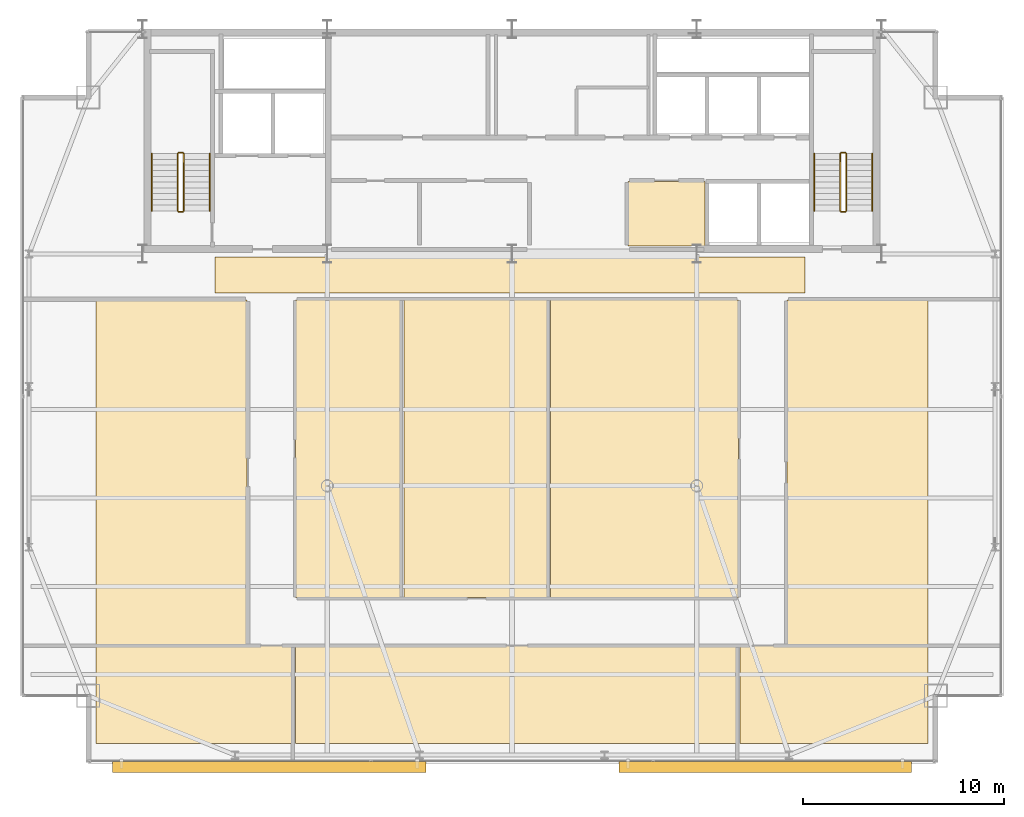
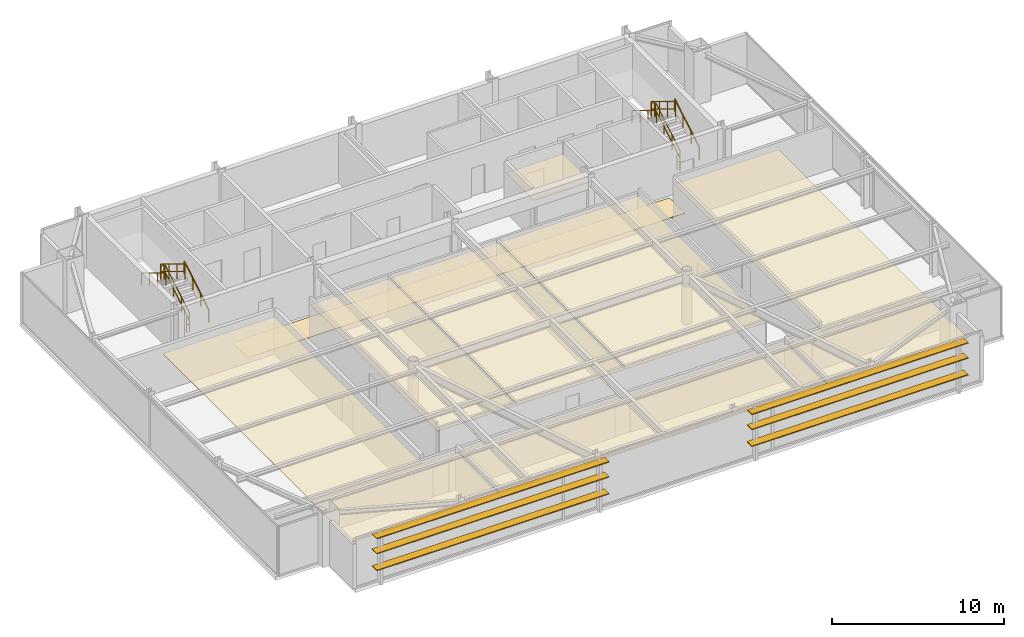
# One storey, part 25 of 25: 12 railings, 10 coverings, 6 shading devices.
"""IFC4 building model written with IfcOpenShell, lengths in metres."""

from ifc_helpers import new_model, si_unit, direction, frame, origin, origin_2d, place, context, subcontext, project, spatial, polyline, rectangle, outline, extrude, source, transform, mapped, material, layer, layer_set, type_object, type_shapes, element, save


model = new_model("IFC4")

# Units and contexts
model_context = context("Model", 3, precision=1e-05, world=origin(), true_north=direction((0.0, 1.0)))
body_context = subcontext(model_context, "Body", "Model", "MODEL_VIEW")
ifc_project = project(units=[si_unit("LENGTHUNIT", "METRE"), si_unit("AREAUNIT", "SQUARE_METRE"), si_unit("VOLUMEUNIT", "CUBIC_METRE"), si_unit("PLANEANGLEUNIT", "RADIAN"), si_unit("MASSUNIT", "GRAM", prefix="KILO")], contexts=[model_context])

# Site, building, storey
site_placement = place(None, origin())
site = spatial("IfcSite", under=ifc_project, at=site_placement, CompositionType="ELEMENT")
building_placement = place(site_placement, origin())
building = spatial("IfcBuilding", under=site, at=building_placement, Name="Varnel Quay Broadcast Tower", CompositionType="ELEMENT")
storey_placement = place(building_placement, frame((0.0, 0.0, 226.39990234375)))
storey = spatial("IfcBuildingStorey", under=building, at=storey_placement, Name="L56", CompositionType="ELEMENT", Elevation=226.39990234375)

# Coverings
ifc_material_1 = material(Name="Micro-Perforated Acoustic Ceiling Tile")
ifc_layer_1 = layer(ifc_material_1, 0.0400390625, Name="Micro-Perforated Acoustic Ceiling Tile")
ifc_layer_set_1 = layer_set([ifc_layer_1], Name="Micro-Perforated Acoustic Ceiling Tile")
covering_type_1 = type_object("IfcCoveringType", Name="Cov_AcousticCeiling", PredefinedType="CEILING", material=ifc_layer_set_1)
covering_1_placement = place(storey_placement, frame((0.0, 0.0, 2.580078125)))
element("IfcCovering", 1, at=covering_1_placement, inside=storey, type_object=covering_type_1, Name="L56 Electrical Sub-Distribution Closet Acoustic Ceiling", PredefinedType="CEILING", context=body_context, shape_type="SweptSolid", body=[
    extrude(outline(polyline([(39.784912109375, 35.985107421875), (43.614990234375, 35.985107421875), (43.614990234375, 39.215087890625), (39.784912109375, 39.215087890625), (39.784912109375, 35.985107421875)])), origin(), (0.0, 0.0, 1.0), 0.0400390625),
])
covering_2_placement = place(storey_placement, frame((0.0, 0.0, 2.580078125)))
element("IfcCovering", 2, at=covering_2_placement, inside=storey, type_object=covering_type_1, Name="L56 Broadcast Seminar Room 1 Acoustic Ceiling", PredefinedType="CEILING", context=body_context, shape_type="SweptSolid", body=[
    extrude(outline(polyline([(13.284912109375, 11.22509765625), (23.155029296875, 11.22509765625), (23.155029296875, 16.06494140625), (13.284912109375, 16.06494140625), (13.284912109375, 11.22509765625)])), origin(), (0.0, 0.0, 1.0), 0.0400390625),
])
covering_3_placement = place(storey_placement, frame((0.0, 0.0, 2.580078125)))
element("IfcCovering", 3, at=covering_3_placement, inside=storey, type_object=covering_type_1, Name="L56 Press Briefing Room 2 Acoustic Ceiling", PredefinedType="CEILING", context=body_context, shape_type="SweptSolid", body=[
    extrude(outline(polyline([(23.22509765625, 11.22509765625), (45.27490234375, 11.22509765625), (45.27490234375, 16.06494140625), (23.22509765625, 16.06494140625), (23.22509765625, 11.22509765625)])), origin(), (0.0, 0.0, 1.0), 0.0400390625),
])
covering_4_placement = place(storey_placement, frame((0.0, 0.0, 2.580078125)))
element("IfcCovering", 4, at=covering_4_placement, inside=storey, type_object=covering_type_1, Name="L56 Editorial Huddle Room 3 Acoustic Ceiling", PredefinedType="CEILING", context=body_context, shape_type="SweptSolid", body=[
    extrude(outline(polyline([(45.344970703125, 11.22509765625), (54.715087890625, 11.22509765625), (54.715087890625, 16.06494140625), (45.344970703125, 16.06494140625), (45.344970703125, 11.22509765625)])), origin(), (0.0, 0.0, 1.0), 0.0400390625),
])
covering_5_placement = place(storey_placement, frame((0.0, 0.0, 2.580078125)))
element("IfcCovering", 5, at=covering_5_placement, inside=storey, type_object=covering_type_1, Name="L56 Journalism Training Studio 4 Acoustic Ceiling", PredefinedType="CEILING", context=body_context, shape_type="SweptSolid", body=[
    extrude(outline(polyline([(13.284912109375, 16.135009765625), (20.804931640625, 16.135009765625), (20.804931640625, 33.31494140625), (13.284912109375, 33.31494140625), (13.284912109375, 16.135009765625)])), origin(), (0.0, 0.0, 1.0), 0.0400390625),
])
covering_6_placement = place(storey_placement, frame((0.0, 0.0, 2.580078125)))
element("IfcCovering", 6, at=covering_6_placement, inside=storey, type_object=covering_type_1, Name="L56 Catering Kitchen 5 Acoustic Ceiling", PredefinedType="CEILING", context=body_context, shape_type="SweptSolid", body=[
    extrude(outline(polyline([(23.22509765625, 18.485107421875), (28.544921875, 18.485107421875), (28.544921875, 33.31494140625), (23.22509765625, 33.31494140625), (23.22509765625, 18.485107421875)])), origin(), (0.0, 0.0, 1.0), 0.0400390625),
])
covering_7_placement = place(storey_placement, frame((0.0, 0.0, 2.580078125)))
element("IfcCovering", 7, at=covering_7_placement, inside=storey, type_object=covering_type_1, Name="L56 Bureau Office 6 Acoustic Ceiling", PredefinedType="CEILING", context=body_context, shape_type="SweptSolid", body=[
    extrude(outline(polyline([(28.614990234375, 18.485107421875), (35.85498046875, 18.485107421875), (35.85498046875, 33.31494140625), (28.614990234375, 33.31494140625), (28.614990234375, 18.485107421875)])), origin(), (0.0, 0.0, 1.0), 0.0400390625),
])
covering_8_placement = place(storey_placement, frame((0.0, 0.0, 2.580078125)))
element("IfcCovering", 8, at=covering_8_placement, inside=storey, type_object=covering_type_1, Name="L56 Reading Lounge 7 Acoustic Ceiling", PredefinedType="CEILING", context=body_context, shape_type="SweptSolid", body=[
    extrude(outline(polyline([(35.925048828125, 18.485107421875), (45.27490234375, 18.485107421875), (45.27490234375, 33.31494140625), (35.925048828125, 33.31494140625), (35.925048828125, 18.485107421875)])), origin(), (0.0, 0.0, 1.0), 0.0400390625),
])
covering_9_placement = place(storey_placement, frame((0.0, 0.0, 2.580078125)))
element("IfcCovering", 9, at=covering_9_placement, inside=storey, type_object=covering_type_1, Name="L56 Broadcast Seminar Room 8 Acoustic Ceiling", PredefinedType="CEILING", context=body_context, shape_type="SweptSolid", body=[
    extrude(outline(polyline([(47.695068359375, 16.135009765625), (54.715087890625, 16.135009765625), (54.715087890625, 33.31494140625), (47.695068359375, 33.31494140625), (47.695068359375, 16.135009765625)])), origin(), (0.0, 0.0, 1.0), 0.0400390625),
])
ifc_material_2 = material(Name="Polished Terrazzo & Broadcast Raised Flooring")
ifc_layer_2 = layer(ifc_material_2, 0.0400390625, Name="Polished Terrazzo & Broadcast Raised Flooring")
ifc_layer_set_2 = layer_set([ifc_layer_2], Name="Polished Terrazzo & Broadcast Raised Flooring")
covering_type_2 = type_object("IfcCoveringType", Name="Cov_TerrazzoFloor", PredefinedType="FLOORING", material=ifc_layer_set_2)
covering_10_placement = place(storey_placement, origin())
element("IfcCovering", 10, at=covering_10_placement, inside=storey, type_object=covering_type_2, Name="L56 Corridor Terrazzo Flooring", PredefinedType="FLOORING", context=body_context, shape_type="SweptSolid", body=[
    extrude(outline(polyline([(19.199951171875, 33.64990234375), (48.60009765625, 33.64990234375), (48.60009765625, 35.449951171875), (19.199951171875, 35.449951171875), (19.199951171875, 33.64990234375)])), origin(), (0.0, 0.0, 1.0), 0.0400390625),
])

# Railings
ifc_material_3 = material(Name="Painted Steel Guard and Handrail CSA G40.21 350W", Category="steel")
railing_type_1 = type_object("IfcRailingType", Name="Rail_StairGuard1100", PredefinedType="GUARDRAIL", material=ifc_material_3)
railing_1_placement = place(storey_placement, frame((17.64990234375, 37.75, 0.1728515625)))
element("IfcRailing", 11, at=railing_1_placement, inside=storey, type_object=railing_type_1, Name="L56 ST-01 stair guard 1", PredefinedType="GUARDRAIL", context=body_context, shape_type="SweptSolid", body=[
    extrude(rectangle(XDim=0.048095703125, YDim=0.048095703125, at=origin_2d()), frame((0.0, 0.0, 1.076171875), z_axis=(0.0, 0.855202751398, 0.518293598264), x_axis=(-1.0, 0.0, 0.0)), (0.0, 0.0, 1.0), 3.332763671875),
    extrude(rectangle(XDim=0.048095703125, YDim=0.048095703125, at=origin_2d()), frame((0.0, 0.0, 0.550048828125), z_axis=(0.0, 0.855202751398, 0.518293598264), x_axis=(-1.0, 0.0, 0.0)), (0.0, 0.0, 1.0), 3.332763671875),
    extrude(rectangle(XDim=0.0419921875, YDim=0.0419921875, at=origin_2d()), origin(), (0.0, 0.0, 1.0), 1.052001953125),
    extrude(rectangle(XDim=0.0419921875, YDim=0.0419921875, at=origin_2d()), frame((0.0, 0.949951171875, 0.57568359375)), (0.0, 0.0, 1.0), 1.052001953125),
    extrude(rectangle(XDim=0.0419921875, YDim=0.0419921875, at=origin_2d()), frame((0.0, 1.900146484375, 1.151611328125)), (0.0, 0.0, 1.0), 1.052001953125),
    extrude(rectangle(XDim=0.0419921875, YDim=0.0419921875, at=origin_2d()), frame((0.0, 2.85009765625, 1.727294921875)), (0.0, 0.0, 1.0), 1.052001953125),
])
railing_2_placement = place(storey_placement, frame((17.60009765625, 40.64990234375, 1.900146484375)))
element("IfcRailing", 12, at=railing_2_placement, inside=storey, type_object=railing_type_1, Name="L56 ST-01 stair guard 2", PredefinedType="GUARDRAIL", context=body_context, shape_type="SweptSolid", body=[
    extrude(rectangle(XDim=0.048095703125, YDim=0.048095703125, at=origin_2d()), frame((0.0, 0.0, 1.076171875), z_axis=(-1.0, 0.0, 0.0), x_axis=(0.0, -1.0, 0.0)), (0.0, 0.0, 1.0), 0.2001953125),
    extrude(rectangle(XDim=0.048095703125, YDim=0.048095703125, at=origin_2d()), frame((0.0, 0.0, 0.550048828125), z_axis=(-1.0, 0.0, 0.0), x_axis=(0.0, -1.0, 0.0)), (0.0, 0.0, 1.0), 0.2001953125),
    extrude(rectangle(XDim=0.0419921875, YDim=0.0419921875, at=origin_2d()), origin(), (0.0, 0.0, 1.0), 1.052001953125),
    extrude(rectangle(XDim=0.0419921875, YDim=0.0419921875, at=origin_2d()), frame((-0.2001953125, 0.0, 0.0)), (0.0, 0.0, 1.0), 1.052001953125),
])
railing_3_placement = place(storey_placement, frame((17.35009765625, 40.60009765625, 2.07275390625)))
element("IfcRailing", 13, at=railing_3_placement, inside=storey, type_object=railing_type_1, Name="L56 ST-01 stair guard 3", PredefinedType="GUARDRAIL", context=body_context, shape_type="SweptSolid", body=[
    extrude(rectangle(XDim=0.048095703125, YDim=0.048095703125, at=origin_2d()), frame((0.0, 0.0, 1.076171875), z_axis=(0.0, -0.855202751398, 0.518293598264), x_axis=(1.0, 0.0, 0.0)), (0.0, 0.0, 1.0), 3.332763671875),
    extrude(rectangle(XDim=0.048095703125, YDim=0.048095703125, at=origin_2d()), frame((0.0, 0.0, 0.550048828125), z_axis=(0.0, -0.855202751398, 0.518293598264), x_axis=(1.0, 0.0, 0.0)), (0.0, 0.0, 1.0), 3.332763671875),
    extrude(rectangle(XDim=0.0419921875, YDim=0.0419921875, at=origin_2d()), origin(), (0.0, 0.0, 1.0), 1.052001953125),
    extrude(rectangle(XDim=0.0419921875, YDim=0.0419921875, at=origin_2d()), frame((0.0, -0.949951171875, 0.57568359375)), (0.0, 0.0, 1.0), 1.052001953125),
    extrude(rectangle(XDim=0.0419921875, YDim=0.0419921875, at=origin_2d()), frame((0.0, -1.900146484375, 1.151611328125)), (0.0, 0.0, 1.0), 1.052001953125),
    extrude(rectangle(XDim=0.0419921875, YDim=0.0419921875, at=origin_2d()), frame((0.0, -2.85009765625, 1.727294921875)), (0.0, 0.0, 1.0), 1.052001953125),
])
railing_4_placement = place(storey_placement, frame((17.60009765625, 37.699951171875, 0.0)))
element("IfcRailing", 14, at=railing_4_placement, inside=storey, type_object=railing_type_1, Name="L56 ST-01 stair guard 4", PredefinedType="GUARDRAIL", context=body_context, shape_type="SweptSolid", body=[
    extrude(rectangle(XDim=0.048095703125, YDim=0.048095703125, at=origin_2d()), frame((0.0, 0.0, 1.076171875), z_axis=(-1.0, 0.0, 0.0), x_axis=(0.0, -1.0, 0.0)), (0.0, 0.0, 1.0), 0.2001953125),
    extrude(rectangle(XDim=0.048095703125, YDim=0.048095703125, at=origin_2d()), frame((0.0, 0.0, 0.550048828125), z_axis=(-1.0, 0.0, 0.0), x_axis=(0.0, -1.0, 0.0)), (0.0, 0.0, 1.0), 0.2001953125),
    extrude(rectangle(XDim=0.0419921875, YDim=0.0419921875, at=origin_2d()), origin(), (0.0, 0.0, 1.0), 1.052001953125),
    extrude(rectangle(XDim=0.0419921875, YDim=0.0419921875, at=origin_2d()), frame((-0.2001953125, 0.0, 0.0)), (0.0, 0.0, 1.0), 1.052001953125),
])
railing_5_placement = place(storey_placement, frame((50.64990234375, 37.75, 0.1728515625)))
element("IfcRailing", 15, at=railing_5_placement, inside=storey, type_object=railing_type_1, Name="L56 ST-02 stair guard 1", PredefinedType="GUARDRAIL", context=body_context, shape_type="SweptSolid", body=[
    extrude(rectangle(XDim=0.048095703125, YDim=0.048095703125, at=origin_2d()), frame((0.0, 0.0, 1.076171875), z_axis=(0.0, 0.855202751398, 0.518293598264), x_axis=(-1.0, 0.0, 0.0)), (0.0, 0.0, 1.0), 3.332763671875),
    extrude(rectangle(XDim=0.048095703125, YDim=0.048095703125, at=origin_2d()), frame((0.0, 0.0, 0.550048828125), z_axis=(0.0, 0.855202751398, 0.518293598264), x_axis=(-1.0, 0.0, 0.0)), (0.0, 0.0, 1.0), 3.332763671875),
    extrude(rectangle(XDim=0.0419921875, YDim=0.0419921875, at=origin_2d()), origin(), (0.0, 0.0, 1.0), 1.052001953125),
    extrude(rectangle(XDim=0.0419921875, YDim=0.0419921875, at=origin_2d()), frame((0.0, 0.949951171875, 0.57568359375)), (0.0, 0.0, 1.0), 1.052001953125),
    extrude(rectangle(XDim=0.0419921875, YDim=0.0419921875, at=origin_2d()), frame((0.0, 1.900146484375, 1.151611328125)), (0.0, 0.0, 1.0), 1.052001953125),
    extrude(rectangle(XDim=0.0419921875, YDim=0.0419921875, at=origin_2d()), frame((0.0, 2.85009765625, 1.727294921875)), (0.0, 0.0, 1.0), 1.052001953125),
])
railing_6_placement = place(storey_placement, frame((50.60009765625, 40.64990234375, 1.900146484375)))
element("IfcRailing", 16, at=railing_6_placement, inside=storey, type_object=railing_type_1, Name="L56 ST-02 stair guard 2", PredefinedType="GUARDRAIL", context=body_context, shape_type="SweptSolid", body=[
    extrude(rectangle(XDim=0.048095703125, YDim=0.048095703125, at=origin_2d()), frame((0.0, 0.0, 1.076171875), z_axis=(-1.0, 0.0, 0.0), x_axis=(0.0, -1.0, 0.0)), (0.0, 0.0, 1.0), 0.2001953125),
    extrude(rectangle(XDim=0.048095703125, YDim=0.048095703125, at=origin_2d()), frame((0.0, 0.0, 0.550048828125), z_axis=(-1.0, 0.0, 0.0), x_axis=(0.0, -1.0, 0.0)), (0.0, 0.0, 1.0), 0.2001953125),
    extrude(rectangle(XDim=0.0419921875, YDim=0.0419921875, at=origin_2d()), origin(), (0.0, 0.0, 1.0), 1.052001953125),
    extrude(rectangle(XDim=0.0419921875, YDim=0.0419921875, at=origin_2d()), frame((-0.2001953125, 0.0, 0.0)), (0.0, 0.0, 1.0), 1.052001953125),
])
railing_7_placement = place(storey_placement, frame((50.35009765625, 40.60009765625, 2.07275390625)))
element("IfcRailing", 17, at=railing_7_placement, inside=storey, type_object=railing_type_1, Name="L56 ST-02 stair guard 3", PredefinedType="GUARDRAIL", context=body_context, shape_type="SweptSolid", body=[
    extrude(rectangle(XDim=0.048095703125, YDim=0.048095703125, at=origin_2d()), frame((0.0, 0.0, 1.076171875), z_axis=(0.0, -0.855202751398, 0.518293598264), x_axis=(1.0, 0.0, 0.0)), (0.0, 0.0, 1.0), 3.332763671875),
    extrude(rectangle(XDim=0.048095703125, YDim=0.048095703125, at=origin_2d()), frame((0.0, 0.0, 0.550048828125), z_axis=(0.0, -0.855202751398, 0.518293598264), x_axis=(1.0, 0.0, 0.0)), (0.0, 0.0, 1.0), 3.332763671875),
    extrude(rectangle(XDim=0.0419921875, YDim=0.0419921875, at=origin_2d()), origin(), (0.0, 0.0, 1.0), 1.052001953125),
    extrude(rectangle(XDim=0.0419921875, YDim=0.0419921875, at=origin_2d()), frame((0.0, -0.949951171875, 0.57568359375)), (0.0, 0.0, 1.0), 1.052001953125),
    extrude(rectangle(XDim=0.0419921875, YDim=0.0419921875, at=origin_2d()), frame((0.0, -1.900146484375, 1.151611328125)), (0.0, 0.0, 1.0), 1.052001953125),
    extrude(rectangle(XDim=0.0419921875, YDim=0.0419921875, at=origin_2d()), frame((0.0, -2.85009765625, 1.727294921875)), (0.0, 0.0, 1.0), 1.052001953125),
])
railing_8_placement = place(storey_placement, frame((50.60009765625, 37.699951171875, 0.0)))
element("IfcRailing", 18, at=railing_8_placement, inside=storey, type_object=railing_type_1, Name="L56 ST-02 stair guard 4", PredefinedType="GUARDRAIL", context=body_context, shape_type="SweptSolid", body=[
    extrude(rectangle(XDim=0.048095703125, YDim=0.048095703125, at=origin_2d()), frame((0.0, 0.0, 1.076171875), z_axis=(-1.0, 0.0, 0.0), x_axis=(0.0, -1.0, 0.0)), (0.0, 0.0, 1.0), 0.2001953125),
    extrude(rectangle(XDim=0.048095703125, YDim=0.048095703125, at=origin_2d()), frame((0.0, 0.0, 0.550048828125), z_axis=(-1.0, 0.0, 0.0), x_axis=(0.0, -1.0, 0.0)), (0.0, 0.0, 1.0), 0.2001953125),
    extrude(rectangle(XDim=0.0419921875, YDim=0.0419921875, at=origin_2d()), origin(), (0.0, 0.0, 1.0), 1.052001953125),
    extrude(rectangle(XDim=0.0419921875, YDim=0.0419921875, at=origin_2d()), frame((-0.2001953125, 0.0, 0.0)), (0.0, 0.0, 1.0), 1.052001953125),
])
railing_type_2 = type_object("IfcRailingType", Name="Rail_StairHandrail900", PredefinedType="HANDRAIL", material=ifc_material_3)
railing_9_placement = place(storey_placement, frame((18.949951171875, 37.75, 0.1728515625)))
element("IfcRailing", 19, at=railing_9_placement, inside=storey, type_object=railing_type_2, Name="L56 ST-01 stair handrail 1", PredefinedType="HANDRAIL", context=body_context, shape_type="SweptSolid", body=[
    extrude(rectangle(XDim=0.048095703125, YDim=0.048095703125, at=origin_2d()), frame((0.0, 0.0, 0.8759765625), z_axis=(0.0, 0.855202751398, 0.518293598264), x_axis=(-1.0, 0.0, 0.0)), (0.0, 0.0, 1.0), 3.332763671875),
    extrude(rectangle(XDim=0.0419921875, YDim=0.0419921875, at=origin_2d()), origin(), (0.0, 0.0, 1.0), 0.851806640625),
    extrude(rectangle(XDim=0.0419921875, YDim=0.0419921875, at=origin_2d()), frame((0.0, 0.949951171875, 0.57568359375)), (0.0, 0.0, 1.0), 0.851806640625),
    extrude(rectangle(XDim=0.0419921875, YDim=0.0419921875, at=origin_2d()), frame((0.0, 1.900146484375, 1.151611328125)), (0.0, 0.0, 1.0), 0.851806640625),
    extrude(rectangle(XDim=0.0419921875, YDim=0.0419921875, at=origin_2d()), frame((0.0, 2.85009765625, 1.727294921875)), (0.0, 0.0, 1.0), 0.851806640625),
])
railing_10_placement = place(storey_placement, frame((16.050048828125, 40.60009765625, 2.07275390625)))
element("IfcRailing", 20, at=railing_10_placement, inside=storey, type_object=railing_type_2, Name="L56 ST-01 stair handrail 2", PredefinedType="HANDRAIL", context=body_context, shape_type="SweptSolid", body=[
    extrude(rectangle(XDim=0.048095703125, YDim=0.048095703125, at=origin_2d()), frame((0.0, 0.0, 0.8759765625), z_axis=(0.0, -0.855202751398, 0.518293598264), x_axis=(1.0, 0.0, 0.0)), (0.0, 0.0, 1.0), 3.332763671875),
    extrude(rectangle(XDim=0.0419921875, YDim=0.0419921875, at=origin_2d()), origin(), (0.0, 0.0, 1.0), 0.851806640625),
    extrude(rectangle(XDim=0.0419921875, YDim=0.0419921875, at=origin_2d()), frame((0.0, -0.949951171875, 0.57568359375)), (0.0, 0.0, 1.0), 0.851806640625),
    extrude(rectangle(XDim=0.0419921875, YDim=0.0419921875, at=origin_2d()), frame((0.0, -1.900146484375, 1.151611328125)), (0.0, 0.0, 1.0), 0.851806640625),
    extrude(rectangle(XDim=0.0419921875, YDim=0.0419921875, at=origin_2d()), frame((0.0, -2.85009765625, 1.727294921875)), (0.0, 0.0, 1.0), 0.851806640625),
])
railing_11_placement = place(storey_placement, frame((51.949951171875, 37.75, 0.1728515625)))
element("IfcRailing", 21, at=railing_11_placement, inside=storey, type_object=railing_type_2, Name="L56 ST-02 stair handrail 1", PredefinedType="HANDRAIL", context=body_context, shape_type="SweptSolid", body=[
    extrude(rectangle(XDim=0.048095703125, YDim=0.048095703125, at=origin_2d()), frame((0.0, 0.0, 0.8759765625), z_axis=(0.0, 0.855202751398, 0.518293598264), x_axis=(-1.0, 0.0, 0.0)), (0.0, 0.0, 1.0), 3.332763671875),
    extrude(rectangle(XDim=0.0419921875, YDim=0.0419921875, at=origin_2d()), origin(), (0.0, 0.0, 1.0), 0.851806640625),
    extrude(rectangle(XDim=0.0419921875, YDim=0.0419921875, at=origin_2d()), frame((0.0, 0.949951171875, 0.57568359375)), (0.0, 0.0, 1.0), 0.851806640625),
    extrude(rectangle(XDim=0.0419921875, YDim=0.0419921875, at=origin_2d()), frame((0.0, 1.900146484375, 1.151611328125)), (0.0, 0.0, 1.0), 0.851806640625),
    extrude(rectangle(XDim=0.0419921875, YDim=0.0419921875, at=origin_2d()), frame((0.0, 2.85009765625, 1.727294921875)), (0.0, 0.0, 1.0), 0.851806640625),
])
railing_12_placement = place(storey_placement, frame((49.050048828125, 40.60009765625, 2.07275390625)))
element("IfcRailing", 22, at=railing_12_placement, inside=storey, type_object=railing_type_2, Name="L56 ST-02 stair handrail 2", PredefinedType="HANDRAIL", context=body_context, shape_type="SweptSolid", body=[
    extrude(rectangle(XDim=0.048095703125, YDim=0.048095703125, at=origin_2d()), frame((0.0, 0.0, 0.8759765625), z_axis=(0.0, -0.855202751398, 0.518293598264), x_axis=(1.0, 0.0, 0.0)), (0.0, 0.0, 1.0), 3.332763671875),
    extrude(rectangle(XDim=0.0419921875, YDim=0.0419921875, at=origin_2d()), origin(), (0.0, 0.0, 1.0), 0.851806640625),
    extrude(rectangle(XDim=0.0419921875, YDim=0.0419921875, at=origin_2d()), frame((0.0, -0.949951171875, 0.57568359375)), (0.0, 0.0, 1.0), 0.851806640625),
    extrude(rectangle(XDim=0.0419921875, YDim=0.0419921875, at=origin_2d()), frame((0.0, -1.900146484375, 1.151611328125)), (0.0, 0.0, 1.0), 0.851806640625),
    extrude(rectangle(XDim=0.0419921875, YDim=0.0419921875, at=origin_2d()), frame((0.0, -2.85009765625, 1.727294921875)), (0.0, 0.0, 1.0), 0.851806640625),
])

# Shading devices
ifc_material_4 = material(Name="Bronze-Terracotta Extruded Ceramic Blade", Category="masonry")
ifc_layer_3 = layer(ifc_material_4, 0.06494140625, Name="Bronze-Terracotta Extruded Ceramic Blade")
ifc_layer_set_3 = layer_set([ifc_layer_3], Name="Bronze-Terracotta Extruded Ceramic Blade")
shading_device_type = type_object("IfcShadingDeviceType", Name="Shade_LouvreBlade550", PredefinedType="JALOUSIE", material=ifc_layer_set_3)
shared_shape_1 = source(origin(), body_context, "Body", "SweptSolid", [
    extrude(rectangle(XDim=15.62890625, YDim=0.550048828125, at=origin_2d()), origin(), (0.0, 0.0, 1.0), 0.06494140625),
])
for number, where, z_axis, x_axis, name in (
    (23, (21.9150390625, 10.06005859375, 1.11767578125), (0.0, 0.0, 1.0), (1.0, 0.0, 0.0), "L56 Lobe 1 Horizontal Louvre Blade 1"),
    (24, (21.9150390625, 10.06005859375, 2.317626953125), (0.0, 0.0, 1.0), (1.0, 0.0, 0.0), "L56 Lobe 1 Horizontal Louvre Blade 2"),
    (25, (21.9150390625, 10.06005859375, 3.3876953125), (0.0, 0.0, 1.0), (1.0, 0.0, 0.0), "L56 Lobe 1 Horizontal Louvre Blade 3"),
):
    element("IfcShadingDevice", number, at=place(storey_placement, frame(where, z_axis=z_axis, x_axis=x_axis)), inside=storey, type_object=shading_device_type, Name=name, PredefinedType="JALOUSIE", context=body_context, shape_type="MappedRepresentation", body=[
        mapped(shared_shape_1, transform((0.0, 0.0, 0.0), x_axis=(1.0, 0.0, 0.0), y_axis=(0.0, 1.0, 0.0), z_axis=(0.0, 0.0, 1.0), scale=1.0)),
    ])
shared_shape_2 = source(origin(), body_context, "Body", "SweptSolid", [
    extrude(rectangle(XDim=14.571044921875, YDim=0.550048828125, at=origin_2d()), origin(), (0.0, 0.0, 1.0), 0.06494140625),
])
type_shapes(shading_device_type, [shared_shape_1, shared_shape_2])
for number, where, z_axis, x_axis, name in (
    (26, (46.614013671875, 10.06005859375, 1.11767578125), (0.0, 0.0, 1.0), (1.0, 0.0, 0.0), "L56 Lobe 2 Horizontal Louvre Blade 1"),
    (27, (46.614013671875, 10.06005859375, 2.317626953125), (0.0, 0.0, 1.0), (1.0, 0.0, 0.0), "L56 Lobe 2 Horizontal Louvre Blade 2"),
    (28, (46.614013671875, 10.06005859375, 3.3876953125), (0.0, 0.0, 1.0), (1.0, 0.0, 0.0), "L56 Lobe 2 Horizontal Louvre Blade 3"),
):
    element("IfcShadingDevice", number, at=place(storey_placement, frame(where, z_axis=z_axis, x_axis=x_axis)), inside=storey, type_object=shading_device_type, Name=name, PredefinedType="JALOUSIE", context=body_context, shape_type="MappedRepresentation", body=[
        mapped(shared_shape_2, transform((0.0, 0.0, 0.0), x_axis=(1.0, 0.0, 0.0), y_axis=(0.0, 1.0, 0.0), z_axis=(0.0, 0.0, 1.0), scale=1.0)),
    ])

save(model, "model.ifc")
